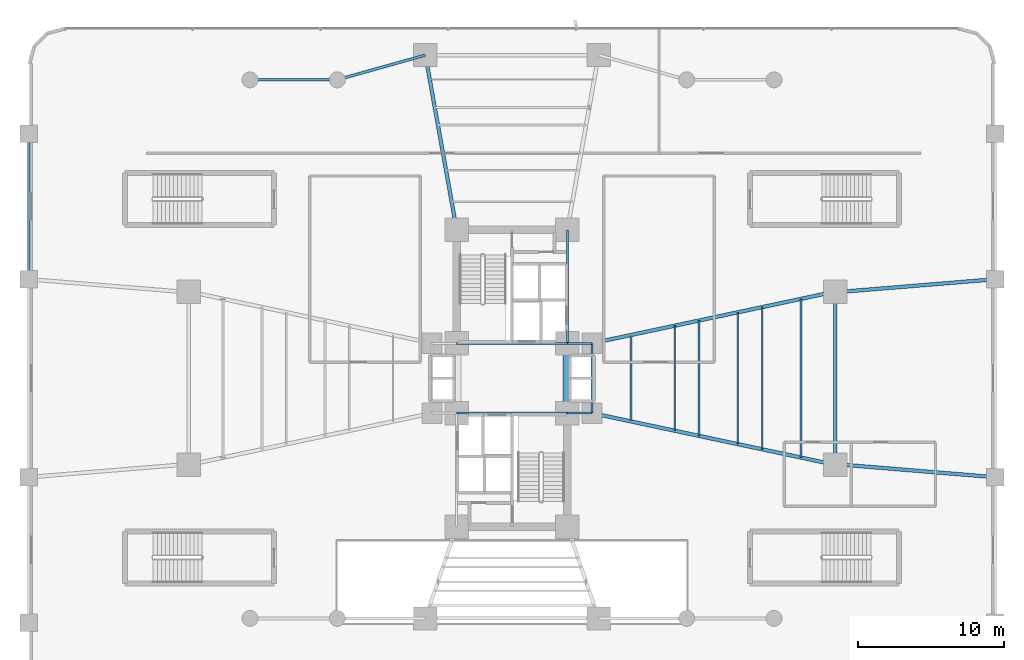
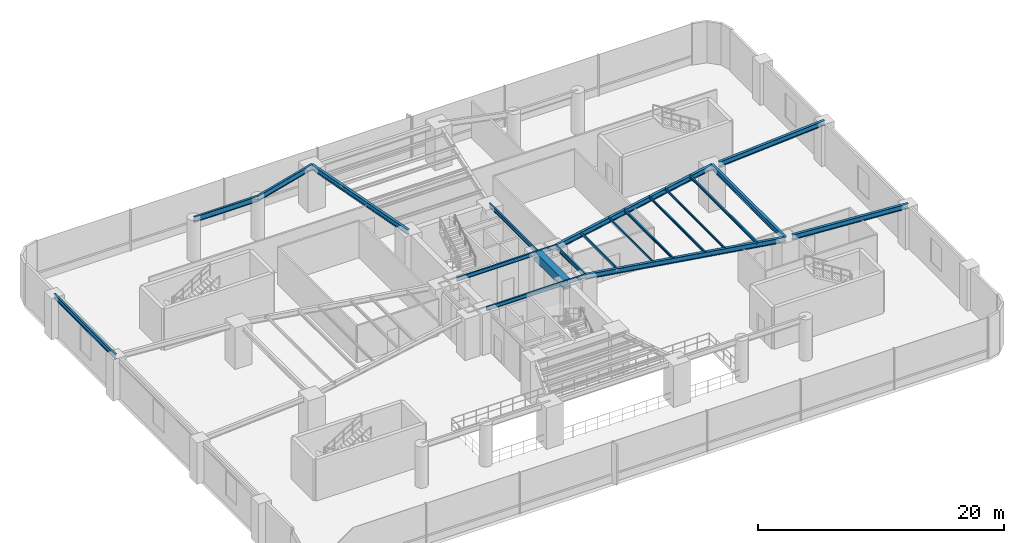
# One storey, part 8 of 23: 22 beams.
"""IFC4 building model written with IfcOpenShell, lengths in metres."""

from ifc_helpers import new_model, si_unit, direction, frame, origin, origin_2d, place, context, subcontext, project, spatial, rectangle, hollow_rectangle, i_section, extrude, source, transform, mapped, material, material_profile, profile_set, type_object, element, save


model = new_model("IFC4")

# Units and contexts
model_context = context("Model", 3, precision=1e-05, world=origin(), true_north=direction((0.0, 1.0)))
body_context = subcontext(model_context, "Body", "Model", "MODEL_VIEW")
ifc_project = project(units=[si_unit("LENGTHUNIT", "METRE"), si_unit("AREAUNIT", "SQUARE_METRE"), si_unit("VOLUMEUNIT", "CUBIC_METRE"), si_unit("PLANEANGLEUNIT", "RADIAN"), si_unit("MASSUNIT", "GRAM", prefix="KILO")], contexts=[model_context])

# Site, building, storey
site_placement = place(None, origin())
site = spatial("IfcSite", under=ifc_project, at=site_placement, CompositionType="ELEMENT")
building_placement = place(site_placement, origin())
building = spatial("IfcBuilding", under=site, at=building_placement, Name="Sahyath Konkavel Grand Hotel", CompositionType="ELEMENT")
storey_placement = place(building_placement, frame((0.0, 0.0, 4.800048828125)))
storey = spatial("IfcBuildingStorey", under=building, at=storey_placement, Name="L01", CompositionType="ELEMENT", Elevation=4.800048828125)

# Beams
ifc_material_1 = material(Name="Concrete C70/85", Category="concrete")
ifc_material_profile_1 = material_profile(ifc_material_1, rectangle(XDim=0.60009765625, YDim=0.89990234375, at=origin_2d()), Name="RC 600x900")
ifc_profile_set_1 = profile_set([ifc_material_profile_1], Name="Concrete C70/85")
beam_type_1 = type_object("IfcBeamType", Name="BM-CB600x900", PredefinedType="LINTEL", material=ifc_profile_set_1)
shared_shape_1 = source(origin(), body_context, "Body", "SweptSolid", [
    extrude(rectangle(XDim=0.60009765625, YDim=0.89990234375, at=origin_2d()), origin(), (0.0, 0.0, 1.0), 4.7998046875),
])
beam_1_placement = place(storey_placement, frame((3.800048828125, -2.39990234375, 3.64990234375), z_axis=(0.0, 1.0, 0.0), x_axis=(-1.0, 0.0, 0.0)))
element("IfcBeam", 1, at=beam_1_placement, inside=storey, type_object=beam_type_1, Name="L01 Split-Core Coupling Beam East", PredefinedType="LINTEL", context=body_context, shape_type="MappedRepresentation", body=[
    mapped(shared_shape_1, transform((0.0, 0.0, 0.0), scale=1.0)),
])
ifc_material_2 = material(Name="Steel E350", Category="steel")
ifc_material_profile_2 = material_profile(ifc_material_2, i_section(OverallWidth=0.139892578125, OverallDepth=0.39990234375, WebThickness=0.0087890625, FlangeThickness=0.01611328125, FilletRadius=0.013916015625, at=origin_2d()), Name="ISMB 400")
ifc_profile_set_2 = profile_set([ifc_material_profile_2], Name="Steel E350")
beam_type_2 = type_object("IfcBeamType", Name="BM-ISMB400", PredefinedType="BEAM", material=ifc_profile_set_2)
shared_shape_2 = source(origin(), body_context, "Body", "SweptSolid", [
    extrude(i_section(OverallWidth=0.139892578125, OverallDepth=0.39990234375, WebThickness=0.0087890625, FlangeThickness=0.01611328125, FilletRadius=0.013916015625, at=origin_2d()), origin(), (0.0, 0.0, 1.0), 7.60009765625),
])
for number, where, z_axis, x_axis, name in (
    (2, (-3.800048828125, 2.39990234375, 3.89990234375), (1.0, 0.0, 0.0), (0.0, 1.0, 0.0), "str:bm:L01:NC-S"),
    (3, (-3.800048828125, -2.39990234375, 3.89990234375), (1.0, 0.0, 0.0), (0.0, 1.0, 0.0), "str:bm:L01:SC-N"),
):
    element("IfcBeam", number, at=place(storey_placement, frame(where, z_axis=z_axis, x_axis=x_axis)), inside=storey, type_object=beam_type_2, Name=name, PredefinedType="BEAM", context=body_context, shape_type="MappedRepresentation", body=[
        mapped(shared_shape_2, transform((0.0, 0.0, 0.0), scale=1.0)),
    ])
shared_shape_3 = source(origin(), body_context, "Body", "SweptSolid", [
    extrude(i_section(OverallWidth=0.139892578125, OverallDepth=0.39990234375, WebThickness=0.0087890625, FlangeThickness=0.01611328125, FilletRadius=0.013916015625, at=origin_2d()), origin(), (0.0, 0.0, 1.0), 7.800048828125),
])
beam_2_placement = place(storey_placement, frame((3.800048828125, 2.39990234375, 3.89990234375), z_axis=(0.0, 1.0, 0.0), x_axis=(-1.0, 0.0, 0.0)))
element("IfcBeam", 4, at=beam_2_placement, inside=storey, type_object=beam_type_2, Name="str:bm:L01:NC-E", PredefinedType="BEAM", context=body_context, shape_type="MappedRepresentation", body=[
    mapped(shared_shape_3, transform((0.0, 0.0, 0.0), scale=1.0)),
])
shared_shape_4 = source(origin(), body_context, "Body", "SweptSolid", [
    extrude(i_section(OverallWidth=0.139892578125, OverallDepth=0.39990234375, WebThickness=0.0087890625, FlangeThickness=0.01611328125, FilletRadius=0.013916015625, at=origin_2d()), origin(), (0.0, 0.0, 1.0), 1.699951171875),
])
for number, where, z_axis, x_axis, name in (
    (5, (3.800048828125, 2.39990234375, 3.89990234375), (1.0, 0.0, 0.0), (0.0, 1.0, 0.0), "str:bm:L01:HB-NE"),
    (6, (3.800048828125, -2.39990234375, 3.89990234375), (1.0, 0.0, 0.0), (0.0, 1.0, 0.0), "str:bm:L01:HB-SE"),
):
    element("IfcBeam", number, at=place(storey_placement, frame(where, z_axis=z_axis, x_axis=x_axis)), inside=storey, type_object=beam_type_2, Name=name, PredefinedType="BEAM", context=body_context, shape_type="MappedRepresentation", body=[
        mapped(shared_shape_4, transform((0.0, 0.0, 0.0), scale=1.0)),
    ])
shared_shape_5 = source(origin(), body_context, "Body", "SweptSolid", [
    extrude(i_section(OverallWidth=0.139892578125, OverallDepth=0.39990234375, WebThickness=0.0087890625, FlangeThickness=0.01611328125, FilletRadius=0.013916015625, at=origin_2d()), origin(), (0.0, 0.0, 1.0), 4.7998046875),
])
beam_3_placement = place(storey_placement, frame((5.5, -2.39990234375, 3.89990234375), z_axis=(0.0, 1.0, 0.0), x_axis=(-1.0, 0.0, 0.0)))
element("IfcBeam", 7, at=beam_3_placement, inside=storey, type_object=beam_type_2, Name="str:bm:L01:HB-E", PredefinedType="BEAM", context=body_context, shape_type="MappedRepresentation", body=[
    mapped(shared_shape_5, transform((0.0, 0.0, 0.0), scale=1.0)),
])
ifc_material_profile_3 = material_profile(ifc_material_2, i_section(OverallWidth=0.25, OverallDepth=0.5, WebThickness=0.010009765625, FlangeThickness=0.0146484375, FilletRadius=0.014892578125, at=origin_2d()), Name="ISWB 500")
ifc_profile_set_3 = profile_set([ifc_material_profile_3], Name="Steel E350")
beam_type_3 = type_object("IfcBeamType", Name="BM-ISWB500", PredefinedType="BEAM", material=ifc_profile_set_3)
shared_shape_6 = source(origin(), body_context, "Body", "SweptSolid", [
    extrude(i_section(OverallWidth=0.25, OverallDepth=0.5, WebThickness=0.010009765625, FlangeThickness=0.0146484375, FilletRadius=0.014892578125, at=origin_2d()), origin(), (0.0, 0.0, 1.0), 17.072998046875),
])
for number, where, z_axis, x_axis, name in (
    (8, (5.5, -2.39990234375, 3.849853515625), (0.978143257225, -0.20793212437, 0.0), (0.20793212437, 0.978143257225, 0.0), "L01 Podium Primary Girder EA"),
    (9, (5.5, 2.39990234375, 3.849853515625), (0.978143257225, 0.20793212437, 0.0), (-0.20793212437, 0.978143257225, 0.0), "L01 Podium Primary Girder EB"),
):
    element("IfcBeam", number, at=place(storey_placement, frame(where, z_axis=z_axis, x_axis=x_axis)), inside=storey, type_object=beam_type_3, Name=name, PredefinedType="BEAM", context=body_context, shape_type="MappedRepresentation", body=[
        mapped(shared_shape_6, transform((0.0, 0.0, 0.0), scale=1.0)),
    ])
shared_shape_7 = source(origin(), body_context, "Body", "SweptSolid", [
    extrude(i_section(OverallWidth=0.25, OverallDepth=0.5, WebThickness=0.010009765625, FlangeThickness=0.0146484375, FilletRadius=0.014892578125, at=origin_2d()), origin(), (0.0, 0.0, 1.0), 12.191162109375),
])
beam_4_placement = place(storey_placement, frame((-3.800048828125, 10.199951171875, 3.849853515625), z_axis=(-0.176350650305, 0.984327409014, 0.0), x_axis=(-0.984327409014, -0.176350650305, 0.0)))
element("IfcBeam", 10, at=beam_4_placement, inside=storey, type_object=beam_type_3, Name="L01 Podium Primary Girder NB", PredefinedType="BEAM", context=body_context, shape_type="MappedRepresentation", body=[
    mapped(shared_shape_7, transform((0.0, 0.0, 0.0), scale=1.0)),
])
shared_shape_8 = source(origin(), body_context, "Body", "SweptSolid", [
    extrude(i_section(OverallWidth=0.25, OverallDepth=0.5, WebThickness=0.010009765625, FlangeThickness=0.0146484375, FilletRadius=0.014892578125, at=origin_2d()), origin(), (0.0, 0.0, 1.0), 11.89990234375),
])
beam_5_placement = place(storey_placement, frame((22.199951171875, -5.949951171875, 3.849853515625), z_axis=(0.0, 1.0, 0.0), x_axis=(-1.0, 0.0, 0.0)))
element("IfcBeam", 11, at=beam_5_placement, inside=storey, type_object=beam_type_3, Name="L01 Podium Primary Girder Tie E", PredefinedType="BEAM", context=body_context, shape_type="MappedRepresentation", body=[
    mapped(shared_shape_8, transform((0.0, 0.0, 0.0), scale=1.0)),
])
ifc_material_profile_4 = material_profile(ifc_material_2, i_section(OverallWidth=0.18994140625, OverallDepth=0.550048828125, WebThickness=0.01123046875, FlangeThickness=0.019287109375, FilletRadius=0.01806640625, at=origin_2d()), Name="ISMB 550")
ifc_profile_set_4 = profile_set([ifc_material_profile_4], Name="Steel E350")
beam_type_4 = type_object("IfcBeamType", Name="BM-ISMB550", PredefinedType="BEAM", material=ifc_profile_set_4)
shared_shape_9 = source(origin(), body_context, "Body", "SweptSolid", [
    extrude(i_section(OverallWidth=0.18994140625, OverallDepth=0.550048828125, WebThickness=0.01123046875, FlangeThickness=0.019287109375, FilletRadius=0.01806640625, at=origin_2d()), origin(), (0.0, 0.0, 1.0), 6.0),
])
beam_6_placement = place(storey_placement, frame((-18.0, 20.5, 3.824951171875), z_axis=(1.0, 0.0, 0.0), x_axis=(0.0, 1.0, 0.0)))
element("IfcBeam", 12, at=beam_6_placement, inside=storey, type_object=beam_type_4, Name="str:bm:L01:POD-01", PredefinedType="BEAM", context=body_context, shape_type="MappedRepresentation", body=[
    mapped(shared_shape_9, transform((0.0, 0.0, 0.0), scale=1.0)),
])
shared_shape_10 = source(origin(), body_context, "Body", "SweptSolid", [
    extrude(i_section(OverallWidth=0.18994140625, OverallDepth=0.550048828125, WebThickness=0.01123046875, FlangeThickness=0.019287109375, FilletRadius=0.01806640625, at=origin_2d()), origin(), (0.0, 0.0, 1.0), 6.284423828125),
])
beam_7_placement = place(storey_placement, frame((-12.0, 20.5, 3.824951171875), z_axis=(0.962718307277, 0.270505934933, 0.0), x_axis=(-0.270505934933, 0.962718307277, 0.0)))
element("IfcBeam", 13, at=beam_7_placement, inside=storey, type_object=beam_type_4, Name="str:bm:L01:POD-02", PredefinedType="BEAM", context=body_context, shape_type="MappedRepresentation", body=[
    mapped(shared_shape_10, transform((0.0, 0.0, 0.0), scale=1.0)),
])
ifc_material_profile_5 = material_profile(ifc_material_2, i_section(OverallWidth=0.179931640625, OverallDepth=0.5, WebThickness=0.01025390625, FlangeThickness=0.01708984375, FilletRadius=0.01708984375, at=origin_2d()), Name="ISMB 500")
ifc_profile_set_5 = profile_set([ifc_material_profile_5], Name="Steel E350")
beam_type_5 = type_object("IfcBeamType", Name="BM-ISMB500", PredefinedType="BEAM", material=ifc_profile_set_5)
shared_shape_11 = source(origin(), body_context, "Body", "SweptSolid", [
    extrude(i_section(OverallWidth=0.179931640625, OverallDepth=0.5, WebThickness=0.01025390625, FlangeThickness=0.01708984375, FilletRadius=0.01708984375, at=origin_2d()), origin(), (0.0, 0.0, 1.0), 10.0),
])
beam_8_placement = place(storey_placement, frame((-33.199951171875, 6.800048828125, 3.849853515625), z_axis=(0.0, 1.0, 0.0), x_axis=(-1.0, 0.0, 0.0)))
element("IfcBeam", 14, at=beam_8_placement, inside=storey, type_object=beam_type_5, Name="str:bm:L01:POD-18", PredefinedType="BEAM", context=body_context, shape_type="MappedRepresentation", body=[
    mapped(shared_shape_11, transform((0.0, 0.0, 0.0), scale=1.0)),
])
shared_shape_12 = source(origin(), body_context, "Body", "SweptSolid", [
    extrude(i_section(OverallWidth=0.25, OverallDepth=0.5, WebThickness=0.010009765625, FlangeThickness=0.0146484375, FilletRadius=0.014892578125, at=origin_2d()), origin(), (0.0, 0.0, 1.0), 10.4345703125),
])
for number, where, z_axis, x_axis, name in (
    (15, (33.199951171875, -6.800048828125, 3.849853515625), (-0.996675859081, 0.081469208445, 0.0), (-0.081469208445, -0.996675859081, 0.0), "str:bm:L01:POD-10"),
    (16, (33.199951171875, 6.800048828125, 3.849853515625), (-0.996675859081, -0.081469208445, 0.0), (0.081469208445, -0.996675859081, 0.0), "str:bm:L01:POD-12"),
):
    element("IfcBeam", number, at=place(storey_placement, frame(where, z_axis=z_axis, x_axis=x_axis)), inside=storey, type_object=beam_type_3, Name=name, PredefinedType="BEAM", context=body_context, shape_type="MappedRepresentation", body=[
        mapped(shared_shape_12, transform((0.0, 0.0, 0.0), scale=1.0)),
    ])
ifc_material_profile_6 = material_profile(ifc_material_2, hollow_rectangle(XDim=0.1201171875, YDim=0.219970703125, WallThickness=0.010009765625, at=origin_2d()), Name="RHS 220x120x10")
ifc_profile_set_6 = profile_set([ifc_material_profile_6], Name="Steel E350")
beam_type_6 = type_object("IfcBeamType", Name="BM-RHS220", PredefinedType="BEAM", material=ifc_profile_set_6)
shared_shape_13 = source(origin(), body_context, "Body", "SweptSolid", [
    extrude(hollow_rectangle(XDim=0.1201171875, YDim=0.219970703125, WallThickness=0.010009765625, at=origin_2d()), origin(), (0.0, 0.0, 1.0), 5.93603515625),
])
beam_9_placement = place(storey_placement, frame((8.172119140625, -2.968017578125, 3.989990234375), z_axis=(0.0, 1.0, 0.0), x_axis=(-1.0, 0.0, 0.0)))
element("IfcBeam", 17, at=beam_9_placement, inside=storey, type_object=beam_type_6, Name="L01 Composite Deck Sub-Beam E-1", PredefinedType="BEAM", context=body_context, shape_type="MappedRepresentation", body=[
    mapped(shared_shape_13, transform((0.0, 0.0, 0.0), scale=1.0)),
])
ifc_material_profile_7 = material_profile(ifc_material_2, hollow_rectangle(XDim=0.090087890625, YDim=0.179931640625, WallThickness=0.008056640625, at=origin_2d()), Name="RHS 180x90x8")
ifc_profile_set_7 = profile_set([ifc_material_profile_7], Name="Steel E350")
beam_type_7 = type_object("IfcBeamType", Name="BM-RHS180", PredefinedType="BEAM", material=ifc_profile_set_7)
shared_shape_14 = source(origin(), body_context, "Body", "SweptSolid", [
    extrude(hollow_rectangle(XDim=0.090087890625, YDim=0.179931640625, WallThickness=0.008056640625, at=origin_2d()), origin(), (0.0, 0.0, 1.0), 7.2138671875),
])
beam_10_placement = place(storey_placement, frame((11.177978515625, -3.60693359375, 4.010009765625), z_axis=(0.0, 1.0, 0.0), x_axis=(-1.0, 0.0, 0.0)))
element("IfcBeam", 18, at=beam_10_placement, inside=storey, type_object=beam_type_7, Name="L01 Composite Deck Sub-Beam E-2", PredefinedType="BEAM", context=body_context, shape_type="MappedRepresentation", body=[
    mapped(shared_shape_14, transform((0.0, 0.0, 0.0), scale=1.0)),
])
ifc_material_profile_8 = material_profile(ifc_material_2, i_section(OverallWidth=0.125, OverallDepth=0.25, WebThickness=0.0068359375, FlangeThickness=0.012451171875, FilletRadius=0.012939453125, at=origin_2d()), Name="ISMB 250")
ifc_profile_set_8 = profile_set([ifc_material_profile_8], Name="Steel E350")
beam_type_8 = type_object("IfcBeamType", Name="BM-ISMB250", PredefinedType="BEAM", material=ifc_profile_set_8)
shared_shape_15 = source(origin(), body_context, "Body", "SweptSolid", [
    extrude(i_section(OverallWidth=0.125, OverallDepth=0.25, WebThickness=0.0068359375, FlangeThickness=0.012451171875, FilletRadius=0.012939453125, at=origin_2d()), origin(), (0.0, 0.0, 1.0), 7.923828125),
])
beam_11_placement = place(storey_placement, frame((12.847900390625, -3.9619140625, 3.974853515625), z_axis=(0.0, 1.0, 0.0), x_axis=(-1.0, 0.0, 0.0)))
element("IfcBeam", 19, at=beam_11_placement, inside=storey, type_object=beam_type_8, Name="L01 Composite Deck Sub-Beam E-3", PredefinedType="BEAM", context=body_context, shape_type="MappedRepresentation", body=[
    mapped(shared_shape_15, transform((0.0, 0.0, 0.0), scale=1.0)),
])
ifc_material_profile_9 = material_profile(ifc_material_2, i_section(OverallWidth=0.110107421875, OverallDepth=0.22509765625, WebThickness=0.006591796875, FlangeThickness=0.01171875, FilletRadius=0.011962890625, at=origin_2d()), Name="ISMB 225")
ifc_profile_set_9 = profile_set([ifc_material_profile_9], Name="Steel E350")
beam_type_9 = type_object("IfcBeamType", Name="BM-ISMB225", PredefinedType="BEAM", material=ifc_profile_set_9)
shared_shape_16 = source(origin(), body_context, "Body", "SweptSolid", [
    extrude(i_section(OverallWidth=0.110107421875, OverallDepth=0.22509765625, WebThickness=0.006591796875, FlangeThickness=0.01171875, FilletRadius=0.011962890625, at=origin_2d()), origin(), (0.0, 0.0, 1.0), 9.06005859375),
])
beam_12_placement = place(storey_placement, frame((15.52001953125, -4.530029296875, 3.987548828125), z_axis=(0.0, 1.0, 0.0), x_axis=(-1.0, 0.0, 0.0)))
element("IfcBeam", 20, at=beam_12_placement, inside=storey, type_object=beam_type_9, Name="L01 Composite Deck Sub-Beam E-4", PredefinedType="BEAM", context=body_context, shape_type="MappedRepresentation", body=[
    mapped(shared_shape_16, transform((0.0, 0.0, 0.0), scale=1.0)),
])
ifc_material_profile_10 = material_profile(ifc_material_2, i_section(OverallWidth=0.10009765625, OverallDepth=0.199951171875, WebThickness=0.005615234375, FlangeThickness=0.0107421875, FilletRadius=0.010986328125, at=origin_2d()), Name="ISMB 200")
ifc_profile_set_10 = profile_set([ifc_material_profile_10], Name="Steel E350")
beam_type_10 = type_object("IfcBeamType", Name="BM-ISMB200", PredefinedType="BEAM", material=ifc_profile_set_10)
shared_shape_17 = source(origin(), body_context, "Body", "SweptSolid", [
    extrude(i_section(OverallWidth=0.10009765625, OverallDepth=0.199951171875, WebThickness=0.005615234375, FlangeThickness=0.0107421875, FilletRadius=0.010986328125, at=origin_2d()), origin(), (0.0, 0.0, 1.0), 9.77001953125),
])
beam_13_placement = place(storey_placement, frame((17.18994140625, -4.885009765625, 4.0), z_axis=(0.0, 1.0, 0.0), x_axis=(-1.0, 0.0, 0.0)))
element("IfcBeam", 21, at=beam_13_placement, inside=storey, type_object=beam_type_10, Name="L01 Composite Deck Sub-Beam E-5", PredefinedType="BEAM", context=body_context, shape_type="MappedRepresentation", body=[
    mapped(shared_shape_17, transform((0.0, 0.0, 0.0), scale=1.0)),
])
ifc_material_profile_11 = material_profile(ifc_material_2, i_section(OverallWidth=0.139892578125, OverallDepth=0.27490234375, WebThickness=0.00634765625, FlangeThickness=0.0087890625, FilletRadius=0.012939453125, at=origin_2d()), Name="ISLB 275")
ifc_profile_set_11 = profile_set([ifc_material_profile_11], Name="Steel E350")
beam_type_11 = type_object("IfcBeamType", Name="BM-ISLB275", PredefinedType="BEAM", material=ifc_profile_set_11)
shared_shape_18 = source(origin(), body_context, "Body", "SweptSolid", [
    extrude(i_section(OverallWidth=0.139892578125, OverallDepth=0.27490234375, WebThickness=0.00634765625, FlangeThickness=0.0087890625, FilletRadius=0.012939453125, at=origin_2d()), origin(), (0.0, 0.0, 1.0), 10.90576171875),
])
beam_14_placement = place(storey_placement, frame((19.862060546875, -5.452880859375, 3.96240234375), z_axis=(0.0, 1.0, 0.0), x_axis=(-1.0, 0.0, 0.0)))
element("IfcBeam", 22, at=beam_14_placement, inside=storey, type_object=beam_type_11, Name="L01 Composite Deck Sub-Beam E-6", PredefinedType="BEAM", context=body_context, shape_type="MappedRepresentation", body=[
    mapped(shared_shape_18, transform((0.0, 0.0, 0.0), scale=1.0)),
])

save(model, "model.ifc")
